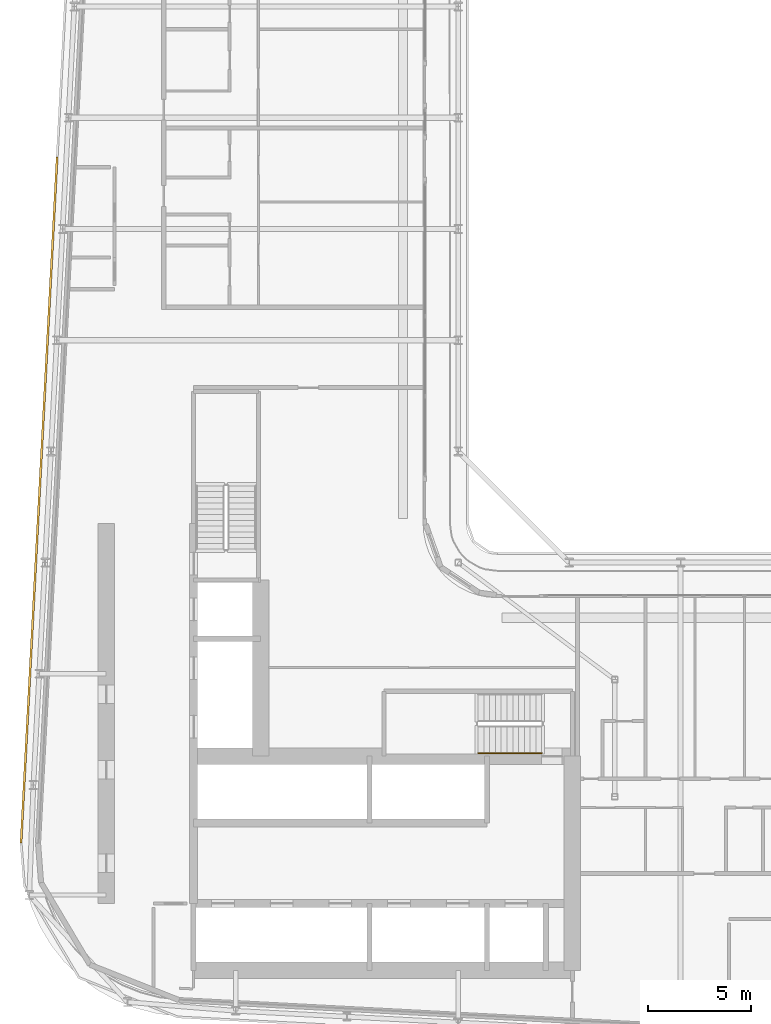
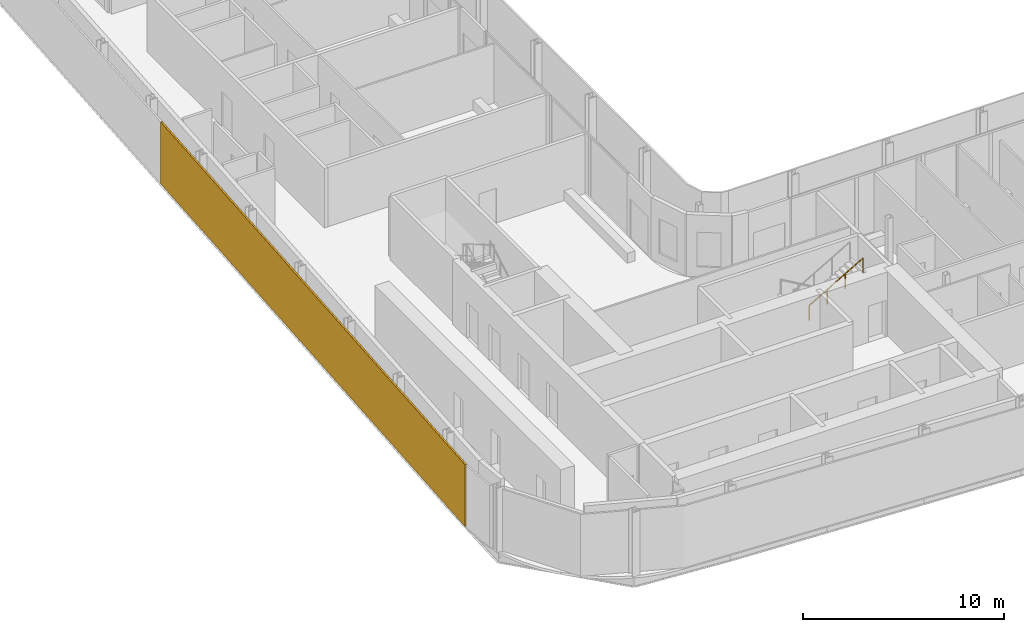
# One storey, part 24 of 30: 1 railing, 1 shading device.
"""IFC4 building model written with IfcOpenShell, lengths in metres."""

from ifc_helpers import new_model, si_unit, direction, frame, origin, origin_2d, place, context, subcontext, project, spatial, rectangle, circle, extrude, material, layer, layer_set, type_object, element, save


model = new_model("IFC4")

# Units and contexts
model_context = context("Model", 3, precision=1e-05, world=origin(), true_north=direction((0.0, 1.0)))
body_context = subcontext(model_context, "Body", "Model", "MODEL_VIEW")
ifc_project = project(units=[si_unit("LENGTHUNIT", "METRE"), si_unit("AREAUNIT", "SQUARE_METRE"), si_unit("VOLUMEUNIT", "CUBIC_METRE"), si_unit("PLANEANGLEUNIT", "RADIAN"), si_unit("MASSUNIT", "GRAM", prefix="KILO")], contexts=[model_context])

# Site, building, storey
site_placement = place(None, origin())
site = spatial("IfcSite", under=ifc_project, at=site_placement, CompositionType="ELEMENT")
building_placement = place(site_placement, origin())
building = spatial("IfcBuilding", under=site, at=building_placement, Name="Kheshtan School and Residences Tower", CompositionType="ELEMENT")
storey_placement = place(building_placement, frame((0.0, 0.0, 199.39990234375)))
storey = spatial("IfcBuildingStorey", under=building, at=storey_placement, Name="L47", CompositionType="ELEMENT", Elevation=199.39990234375)

# Shading device
ifc_material_1 = material(Name="Terracotta baguette, extruded ceramic", Category="masonry")
ifc_layer = layer(ifc_material_1, 0.10009765625)
ifc_layer_set = layer_set([ifc_layer], Name="Ledge screen, terracotta baguettes")
shading_device_type = type_object("IfcShadingDeviceType", Name="Ledge screen, terracotta baguettes", PredefinedType="USERDEFINED", material=ifc_layer_set)
shading_device_placement = place(storey_placement, frame((27.24609375, 48.638916015625, 0.0), z_axis=(0.0, 0.0, 1.0), x_axis=(0.052562536748, 0.998617634398, 0.0)))
element("IfcShadingDevice", 1, at=shading_device_placement, inside=storey, type_object=shading_device_type, Name="Screen L47 4", ObjectType="BAGUETTE", PredefinedType="USERDEFINED", context=body_context, shape_type="SweptSolid", body=[
    extrude(rectangle(XDim=33.341064453125, YDim=0.10009765625, at=origin_2d()), origin(), (0.0, 0.0, 1.0), 3.75),
])

# Railing
ifc_material_2 = material(Name="Stainless steel handrail", Category="steel")
railing_type = type_object("IfcRailingType", Name="Stair handrail 900", PredefinedType="HANDRAIL", material=ifc_material_2)
railing_placement = place(storey_placement, frame((48.570068359375, 36.35009765625, 2.112548828125)))
element("IfcRailing", 2, at=railing_placement, inside=storey, type_object=railing_type, Name="L47 ST1 stair handrail 2", PredefinedType="HANDRAIL", context=body_context, shape_type="SweptSolid", body=[
    extrude(circle(Radius=0.02392578125, at=origin_2d()), frame((0.0, 0.0, 0.8759765625), z_axis=(0.864873446163, 0.0, 0.501989962173), x_axis=(0.0, 1.0, 0.0)), (0.0, 0.0, 1.0), 3.56103515625),
    extrude(circle(Radius=0.02099609375, at=origin_2d()), origin(), (0.0, 0.0, 1.0), 0.851806640625),
    extrude(circle(Radius=0.02099609375, at=origin_2d()), frame((1.026611328125, 0.0, 0.595947265625)), (0.0, 0.0, 1.0), 0.851806640625),
    extrude(circle(Radius=0.02099609375, at=origin_2d()), frame((2.05322265625, 0.0, 1.191650390625)), (0.0, 0.0, 1.0), 0.851806640625),
    extrude(circle(Radius=0.02099609375, at=origin_2d()), frame((3.079833984375, 0.0, 1.78759765625)), (0.0, 0.0, 1.0), 0.851806640625),
])

save(model, "model.ifc")
